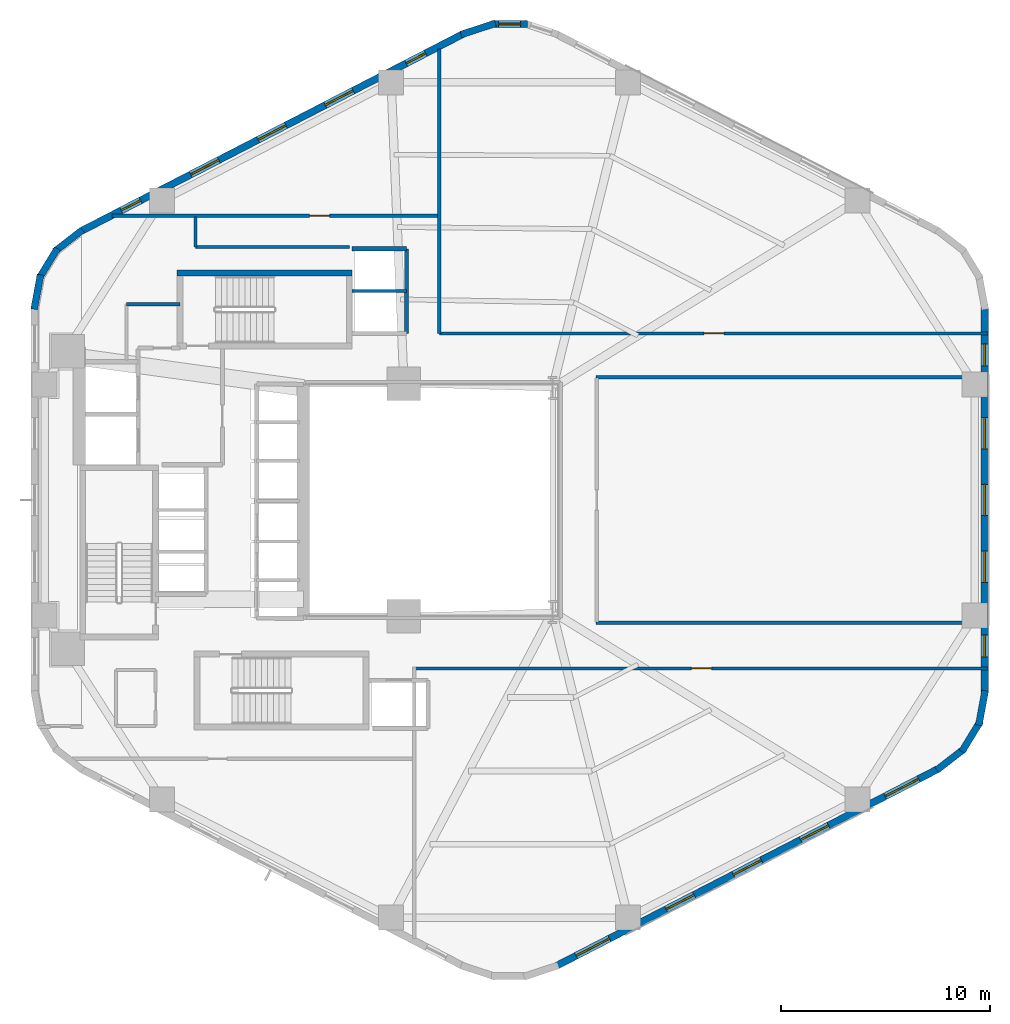
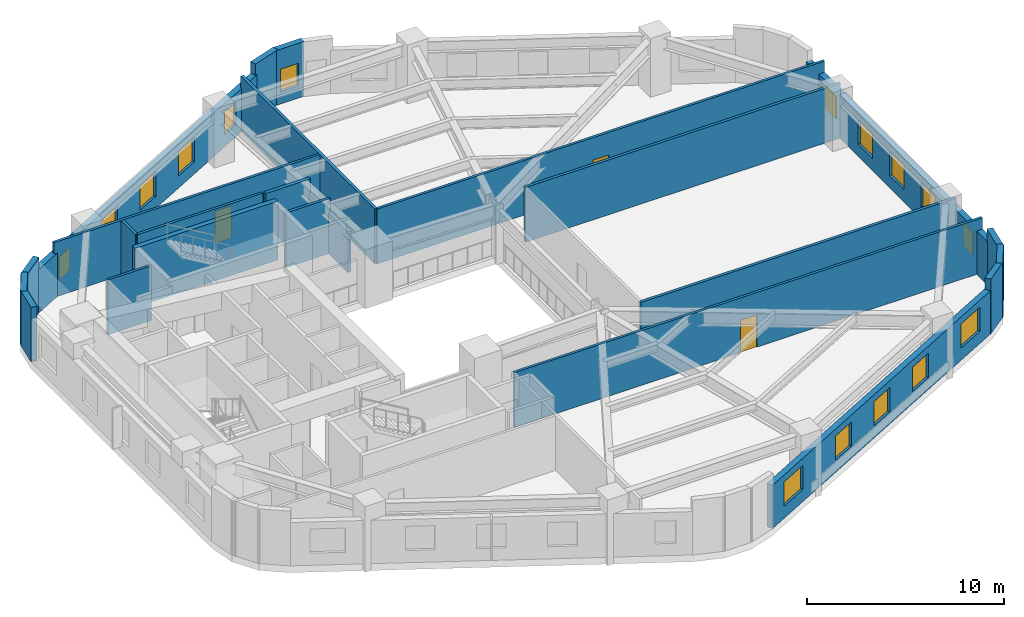
# One storey, part 4 of 7: 24 walls, 16 windows, 3 doors, 19 openings.
"""IFC4 building model written with IfcOpenShell, lengths in metres."""

from ifc_helpers import new_model, si_unit, direction, frame, frame_2d, origin, place, context, subcontext, project, spatial, rectangle, extrude, material, layer, layer_set, type_object, element, fill, save


model = new_model("IFC4")

# Units and contexts
model_context = context("Model", 3, precision=1e-05, world=origin(), true_north=direction((0.0, 1.0)))
body_context = subcontext(model_context, "Body", "Model", "MODEL_VIEW")
ifc_project = project(units=[si_unit("LENGTHUNIT", "METRE"), si_unit("AREAUNIT", "SQUARE_METRE"), si_unit("VOLUMEUNIT", "CUBIC_METRE"), si_unit("PLANEANGLEUNIT", "RADIAN"), si_unit("MASSUNIT", "GRAM", prefix="KILO"), si_unit("THERMODYNAMICTEMPERATUREUNIT", "KELVIN"), si_unit("POWERUNIT", "WATT")], contexts=[model_context])

# Site, building, storey
site_placement = place(None, origin())
site = spatial("IfcSite", under=ifc_project, at=site_placement, CompositionType="ELEMENT")
building_placement = place(site_placement, origin())
building = spatial("IfcBuilding", under=site, at=building_placement, Name="Skarre Station Tower", CompositionType="ELEMENT")
storey_placement = place(building_placement, frame((0.0, 0.0, 27.0)))
storey = spatial("IfcBuildingStorey", under=building, at=storey_placement, Name="L06", CompositionType="ELEMENT", Elevation=27.0)

# Wall
ifc_material_1 = material(Name="Acoustic Steel-Stud Gypsum Partition", Category="steel")
ifc_layer_1 = layer(ifc_material_1, 0.14990234375, Name="Acoustic Steel-Stud Gypsum Partition")
ifc_layer_set_1 = layer_set([ifc_layer_1], Name="Acoustic Steel-Stud Gypsum Partition")
wall_type_1 = type_object("IfcWallType", Name="Fire-Rated Corridor Acoustic Partition 150", PredefinedType="PARTITIONING", material=ifc_layer_set_1)
wall_1_placement = place(storey_placement, frame((21.659912109375, 33.35009765625, 0.0), z_axis=(0.0, 0.0, 1.0), x_axis=(-1.0, 0.0, 0.0)))
element("IfcWall", 1, at=wall_1_placement, inside=storey, type_object=wall_type_1, Name="L06 Interior Partition WL-PT-L06-CNW-N1", PredefinedType="PARTITIONING", context=body_context, shape_type="SweptSolid", body=[
    extrude(rectangle(XDim=2.559814453125, YDim=0.14990234375, at=frame_2d((1.27978515625, 0.0))), origin(), (0.0, 0.0, 1.0), 3.389892578125),
])

# Wall, opening, door
wall_2_placement = place(storey_placement, frame((34.0, 37.580078125, 0.0), z_axis=(0.0, 0.0, 1.0), x_axis=(-1.0, 0.0, 0.0)))
wall_2 = element("IfcWall", 2, at=wall_2_placement, inside=storey, type_object=wall_type_1, Name="L06 Interior Partition WL-PT-L06-NWW1-CW", PredefinedType="PARTITIONING", context=body_context, shape_type="SweptSolid", body=[
    extrude(rectangle(XDim=15.60009765625, YDim=0.14990234375, at=frame_2d((7.800048828125, 0.0))), origin(), (0.0, 0.0, 1.0), 3.389892578125),
])
opening_1_placement = place(wall_2_placement, frame((5.195068359375, 0.0, 0.0)))
opening_1 = element("IfcOpeningElement", 3, at=opening_1_placement, cuts=wall_2, Name="Opening DR-FD60", PredefinedType="OPENING", context=body_context, shape_type="SweptSolid", body=[
    extrude(rectangle(XDim=0.9599609375, YDim=2.0, at=frame_2d((0.47998046875, 1.0))), frame((0.0, 0.0849609375, 0.0), z_axis=(0.0, -1.0, 0.0), x_axis=(1.0, 0.0, 0.0)), (0.0, 0.0, 1.0), 0.169921875),
])
ifc_material_2 = material(Name="Nordic White-Oak Veneer Solid-Core Fire Leaf", Category="wood")
door_type = type_object("IfcDoorType", Name="Corridor Suite Entry Fire Door FD60 960x2150", OperationType="SINGLE_SWING_LEFT", PredefinedType="DOOR", material=ifc_material_2)
door_1_placement = place(opening_1_placement, origin())
door_1 = element("IfcDoor", 4, at=door_1_placement, inside=storey, type_object=door_type, Name="L06 NWW1 Entry Door", OperationType="SINGLE_SWING_LEFT", OverallHeight=2.0, OverallWidth=0.9599609375, PredefinedType="DOOR", context=body_context, shape_type="SweptSolid", body=[
    extrude(rectangle(XDim=0.9599609375, YDim=2.0, at=frame_2d((0.47998046875, 1.0))), frame((0.0, 0.02490234375, 0.0), z_axis=(0.0, -1.0, 0.0), x_axis=(1.0, 0.0, 0.0)), (0.0, 0.0, 1.0), 0.050048828125),
])
fill(opening_1, door_1)

wall_3_placement = place(storey_placement, frame((60.2529296875, 31.9599609375, 0.0), z_axis=(0.0, 0.0, 1.0), x_axis=(-1.0, 0.0, 0.0)))
wall_3 = element("IfcWall", 5, at=wall_3_placement, inside=storey, type_object=wall_type_1, Name="L06 Interior Partition WL-PT-L06-NW1-CW", PredefinedType="PARTITIONING", context=body_context, shape_type="SweptSolid", body=[
    extrude(rectangle(XDim=26.212890625, YDim=0.14990234375, at=frame_2d((13.1064453125, 0.0))), origin(), (0.0, 0.0, 1.0), 3.389892578125),
])
opening_2_placement = place(wall_3_placement, frame((12.612060546875, 0.0, 0.0)))
opening_2 = element("IfcOpeningElement", 6, at=opening_2_placement, cuts=wall_3, Name="Opening DR-FD60", PredefinedType="OPENING", context=body_context, shape_type="SweptSolid", body=[
    extrude(rectangle(XDim=0.9599609375, YDim=2.0, at=frame_2d((0.47998046875, 1.0))), frame((0.0, 0.0849609375, 0.0), z_axis=(0.0, -1.0, 0.0), x_axis=(1.0, 0.0, 0.0)), (0.0, 0.0, 1.0), 0.169921875),
])
door_2_placement = place(opening_2_placement, origin())
door_2 = element("IfcDoor", 7, at=door_2_placement, inside=storey, type_object=door_type, Name="L06 NW1 Entry Door", OperationType="SINGLE_SWING_LEFT", OverallHeight=2.0, OverallWidth=0.9599609375, PredefinedType="DOOR", context=body_context, shape_type="SweptSolid", body=[
    extrude(rectangle(XDim=0.9599609375, YDim=2.0, at=frame_2d((0.47998046875, 1.0))), frame((0.0, 0.02490234375, 0.0), z_axis=(0.0, -1.0, 0.0), x_axis=(1.0, 0.0, 0.0)), (0.0, 0.0, 1.0), 0.050048828125),
])
fill(opening_2, door_2)

wall_4_placement = place(storey_placement, frame((32.85009765625, 15.9599609375, 0.0), z_axis=(0.0, 0.0, 1.0), x_axis=(1.0, 0.0, 0.0)))
wall_4 = element("IfcWall", 8, at=wall_4_placement, inside=storey, type_object=wall_type_1, Name="L06 Interior Partition WL-PT-L06-SW1-CW", PredefinedType="PARTITIONING", context=body_context, shape_type="SweptSolid", body=[
    extrude(rectangle(XDim=27.40283203125, YDim=0.14990234375, at=frame_2d((13.701416015625, 0.0))), origin(), (0.0, 0.0, 1.0), 3.389892578125),
])
opening_3_placement = place(wall_4_placement, frame((13.235107421875, 0.0, 0.0)))
opening_3 = element("IfcOpeningElement", 9, at=opening_3_placement, cuts=wall_4, Name="Opening DR-FD60", PredefinedType="OPENING", context=body_context, shape_type="SweptSolid", body=[
    extrude(rectangle(XDim=0.9599609375, YDim=2.0, at=frame_2d((0.47998046875, 1.0))), frame((0.0, 0.0849609375, 0.0), z_axis=(0.0, -1.0, 0.0), x_axis=(1.0, 0.0, 0.0)), (0.0, 0.0, 1.0), 0.169921875),
])
door_3_placement = place(opening_3_placement, origin())
door_3 = element("IfcDoor", 10, at=door_3_placement, inside=storey, type_object=door_type, Name="L06 SW1 Entry Door", OperationType="SINGLE_SWING_LEFT", OverallHeight=2.0, OverallWidth=0.9599609375, PredefinedType="DOOR", context=body_context, shape_type="SweptSolid", body=[
    extrude(rectangle(XDim=0.9599609375, YDim=2.0, at=frame_2d((0.47998046875, 1.0))), frame((0.0, 0.02490234375, 0.0), z_axis=(0.0, -1.0, 0.0), x_axis=(1.0, 0.0, 0.0)), (0.0, 0.0, 1.0), 0.050048828125),
])
fill(opening_3, door_3)

# Walls
wall_5_placement = place(storey_placement, frame((29.7529296875, 36.080078125, 0.0), z_axis=(0.0, 0.0, 1.0), x_axis=(-1.0, 0.0, 0.0)))
element("IfcWall", 11, at=wall_5_placement, inside=storey, type_object=wall_type_1, Name="L06 Interior Partition WL-PT-L06-CSEAL-1", PredefinedType="PARTITIONING", context=body_context, shape_type="SweptSolid", body=[
    extrude(rectangle(XDim=7.35302734375, YDim=0.14990234375, at=frame_2d((3.676513671875, 0.0))), origin(), (0.0, 0.0, 1.0), 3.389892578125),
])
wall_6_placement = place(storey_placement, frame((22.39990234375, 36.080078125, 0.0), z_axis=(0.0, 0.0, 1.0), x_axis=(0.0, 1.0, 0.0)))
element("IfcWall", 12, at=wall_6_placement, inside=storey, type_object=wall_type_1, Name="L06 Interior Partition WL-PT-L06-CSEAL-2", PredefinedType="PARTITIONING", context=body_context, shape_type="SweptSolid", body=[
    extrude(rectangle(XDim=1.429931640625, YDim=0.14990234375, at=frame_2d((0.71484375, 0.0))), origin(), (0.0, 0.0, 1.0), 3.389892578125),
])

# Wall, openings, windows
ifc_material_3 = material(Name="Precast concrete C45/55", Category="concrete")
ifc_layer_2 = layer(ifc_material_3, 0.340087890625, Name="Precast concrete C45/55")
ifc_layer_set_2 = layer_set([ifc_layer_2], Name="Precast concrete C45/55")
wall_type_2 = type_object("IfcWallType", Name="Nordic Honed Precast Facet Wall 340", PredefinedType="STANDARD", material=ifc_layer_set_2)
wall_7_placement = place(storey_placement, frame((16.924072265625, 36.841064453125, 0.0), z_axis=(0.0, 0.0, 1.0), x_axis=(0.888634413993, 0.458616264721, 0.0)))
wall_7 = element("IfcWall", 13, at=wall_7_placement, inside=storey, type_object=wall_type_2, Name="L06 Facet 1 Nordic Precast Masonry Wall", PredefinedType="STANDARD", context=body_context, shape_type="SweptSolid", body=[
    extrude(rectangle(XDim=20.53125, YDim=0.340087890625, at=frame_2d((10.265625, 0.0))), origin(), (0.0, 0.0, 1.0), 2.68408203125),
])
opening_4_placement = place(wall_7_placement, frame((2.160888671875, 0.0, 0.75)))
opening_4 = element("IfcOpeningElement", 14, at=opening_4_placement, cuts=wall_7, Name="Opening WN-SLT", PredefinedType="OPENING", context=body_context, shape_type="SweptSolid", body=[
    extrude(rectangle(XDim=1.050048828125, YDim=1.39990234375, at=frame_2d((0.52490234375, 0.699951171875))), frame((0.0, 0.179931640625, 0.0), z_axis=(0.0, -1.0, 0.0), x_axis=(1.0, 0.0, 0.0)), (0.0, 0.0, 1.0), 0.360107421875),
])
opening_5_placement = place(wall_7_placement, frame((5.903076171875, 0.0, 0.75)))
opening_5 = element("IfcOpeningElement", 15, at=opening_5_placement, cuts=wall_7, Name="Opening WN-Z1B", PredefinedType="OPENING", context=body_context, shape_type="SweptSolid", body=[
    extrude(rectangle(XDim=1.5, YDim=1.5, at=frame_2d((0.75, 0.75))), frame((0.0, 0.179931640625, 0.0), z_axis=(0.0, -1.0, 0.0), x_axis=(1.0, 0.0, 0.0)), (0.0, 0.0, 1.0), 0.360107421875),
])
opening_6_placement = place(wall_7_placement, frame((9.51611328125, 0.0, 0.75)))
opening_6 = element("IfcOpeningElement", 16, at=opening_6_placement, cuts=wall_7, Name="Opening WN-Z1B", PredefinedType="OPENING", context=body_context, shape_type="SweptSolid", body=[
    extrude(rectangle(XDim=1.5, YDim=1.5, at=frame_2d((0.75, 0.75))), frame((0.0, 0.179931640625, 0.0), z_axis=(0.0, -1.0, 0.0), x_axis=(1.0, 0.0, 0.0)), (0.0, 0.0, 1.0), 0.360107421875),
])
opening_7_placement = place(wall_7_placement, frame((13.12890625, 0.0, 0.75)))
opening_7 = element("IfcOpeningElement", 17, at=opening_7_placement, cuts=wall_7, Name="Opening WN-Z1B", PredefinedType="OPENING", context=body_context, shape_type="SweptSolid", body=[
    extrude(rectangle(XDim=1.5, YDim=1.5, at=frame_2d((0.75, 0.75))), frame((0.0, 0.179931640625, 0.0), z_axis=(0.0, -1.0, 0.0), x_axis=(1.0, 0.0, 0.0)), (0.0, 0.0, 1.0), 0.360107421875),
])
opening_8_placement = place(wall_7_placement, frame((17.47607421875, 0.0, 0.75)))
opening_8 = element("IfcOpeningElement", 18, at=opening_8_placement, cuts=wall_7, Name="Opening WN-SLT", PredefinedType="OPENING", context=body_context, shape_type="SweptSolid", body=[
    extrude(rectangle(XDim=1.050048828125, YDim=1.39990234375, at=frame_2d((0.52490234375, 0.699951171875))), frame((0.0, 0.179931640625, 0.0), z_axis=(0.0, -1.0, 0.0), x_axis=(1.0, 0.0, 0.0)), (0.0, 0.0, 1.0), 0.360107421875),
])
ifc_material_4 = material(Name="Low-Iron Triple Glazing with Bronze Anodized Frame", Category="glass")
window_type_1 = type_object("IfcWindowType", Name="Nordic Corner Slot Window 1050x1400", PartitioningType="SINGLE_PANEL", PredefinedType="WINDOW", material=ifc_material_4)
window_1_placement = place(opening_4_placement, origin())
window_1 = element("IfcWindow", 19, at=window_1_placement, inside=storey, type_object=window_type_1, Name="L06 Facade Window WL-FAC-L06-F1-1", OverallHeight=1.39990234375, OverallWidth=1.050048828125, PartitioningType="SINGLE_PANEL", PredefinedType="WINDOW", context=body_context, shape_type="SweptSolid", body=[
    extrude(rectangle(XDim=1.050048828125, YDim=1.39990234375, at=frame_2d((0.52490234375, 0.699951171875))), frame((0.0, 0.030029296875, 0.0), z_axis=(0.0, -1.0, 0.0), x_axis=(1.0, 0.0, 0.0)), (0.0, 0.0, 1.0), 0.06005859375),
])
fill(opening_4, window_1)
window_2_placement = place(opening_8_placement, origin())
window_2 = element("IfcWindow", 20, at=window_2_placement, inside=storey, type_object=window_type_1, Name="L06 Facade Window WL-FAC-L06-F1-5", OverallHeight=1.39990234375, OverallWidth=1.050048828125, PartitioningType="SINGLE_PANEL", PredefinedType="WINDOW", context=body_context, shape_type="SweptSolid", body=[
    extrude(rectangle(XDim=1.050048828125, YDim=1.39990234375, at=frame_2d((0.52490234375, 0.699951171875))), frame((0.0, 0.030029296875, 0.0), z_axis=(0.0, -1.0, 0.0), x_axis=(1.0, 0.0, 0.0)), (0.0, 0.0, 1.0), 0.06005859375),
])
fill(opening_8, window_2)
window_type_2 = type_object("IfcWindowType", Name="Nordic Punched Triple-Glazed Window 1500x1500", PartitioningType="SINGLE_PANEL", PredefinedType="WINDOW", material=ifc_material_4)
window_3_placement = place(opening_5_placement, origin())
window_3 = element("IfcWindow", 21, at=window_3_placement, inside=storey, type_object=window_type_2, Name="L06 Facade Window WL-FAC-L06-F1-2", OverallHeight=1.5, OverallWidth=1.5, PartitioningType="SINGLE_PANEL", PredefinedType="WINDOW", context=body_context, shape_type="SweptSolid", body=[
    extrude(rectangle(XDim=1.5, YDim=1.5, at=frame_2d((0.75, 0.75))), frame((0.0, 0.030029296875, 0.0), z_axis=(0.0, -1.0, 0.0), x_axis=(1.0, 0.0, 0.0)), (0.0, 0.0, 1.0), 0.06005859375),
])
fill(opening_5, window_3)
window_4_placement = place(opening_6_placement, origin())
window_4 = element("IfcWindow", 22, at=window_4_placement, inside=storey, type_object=window_type_2, Name="L06 Facade Window WL-FAC-L06-F1-3", OverallHeight=1.5, OverallWidth=1.5, PartitioningType="SINGLE_PANEL", PredefinedType="WINDOW", context=body_context, shape_type="SweptSolid", body=[
    extrude(rectangle(XDim=1.5, YDim=1.5, at=frame_2d((0.75, 0.75))), frame((0.0, 0.030029296875, 0.0), z_axis=(0.0, -1.0, 0.0), x_axis=(1.0, 0.0, 0.0)), (0.0, 0.0, 1.0), 0.06005859375),
])
fill(opening_6, window_4)
window_5_placement = place(opening_7_placement, origin())
window_5 = element("IfcWindow", 23, at=window_5_placement, inside=storey, type_object=window_type_2, Name="L06 Facade Window WL-FAC-L06-F1-4", OverallHeight=1.5, OverallWidth=1.5, PartitioningType="SINGLE_PANEL", PredefinedType="WINDOW", context=body_context, shape_type="SweptSolid", body=[
    extrude(rectangle(XDim=1.5, YDim=1.5, at=frame_2d((0.75, 0.75))), frame((0.0, 0.030029296875, 0.0), z_axis=(0.0, -1.0, 0.0), x_axis=(1.0, 0.0, 0.0)), (0.0, 0.0, 1.0), 0.06005859375),
])
fill(opening_7, window_5)

wall_8_placement = place(storey_placement, frame((57.8759765625, 11.158935546875, 0.0), z_axis=(0.0, 0.0, 1.0), x_axis=(-0.888634413993, -0.458616264721, 0.0)))
wall_8 = element("IfcWall", 24, at=wall_8_placement, inside=storey, type_object=wall_type_2, Name="L06 Facet 4 Nordic Precast Masonry Wall", PredefinedType="STANDARD", context=body_context, shape_type="SweptSolid", body=[
    extrude(rectangle(XDim=20.53125, YDim=0.340087890625, at=frame_2d((10.265625, 0.0))), origin(), (0.0, 0.0, 1.0), 2.68408203125),
])
opening_9_placement = place(wall_8_placement, frame((1.05810546875, 0.0, 0.75)))
opening_9 = element("IfcOpeningElement", 25, at=opening_9_placement, cuts=wall_8, Name="Opening WN-Z1A", PredefinedType="OPENING", context=body_context, shape_type="SweptSolid", body=[
    extrude(rectangle(XDim=1.800048828125, YDim=1.5, at=frame_2d((0.89990234375, 0.75))), frame((0.0, 0.179931640625, 0.0), z_axis=(0.0, -1.0, 0.0), x_axis=(1.0, 0.0, 0.0)), (0.0, 0.0, 1.0), 0.360107421875),
])
opening_10_placement = place(wall_8_placement, frame((5.903076171875, 0.0, 0.75)))
opening_10 = element("IfcOpeningElement", 26, at=opening_10_placement, cuts=wall_8, Name="Opening WN-Z1B", PredefinedType="OPENING", context=body_context, shape_type="SweptSolid", body=[
    extrude(rectangle(XDim=1.5, YDim=1.5, at=frame_2d((0.75, 0.75))), frame((0.0, 0.179931640625, 0.0), z_axis=(0.0, -1.0, 0.0), x_axis=(1.0, 0.0, 0.0)), (0.0, 0.0, 1.0), 0.360107421875),
])
opening_11_placement = place(wall_8_placement, frame((9.51611328125, 0.0, 0.75)))
opening_11 = element("IfcOpeningElement", 27, at=opening_11_placement, cuts=wall_8, Name="Opening WN-Z1B", PredefinedType="OPENING", context=body_context, shape_type="SweptSolid", body=[
    extrude(rectangle(XDim=1.5, YDim=1.5, at=frame_2d((0.75, 0.75))), frame((0.0, 0.179931640625, 0.0), z_axis=(0.0, -1.0, 0.0), x_axis=(1.0, 0.0, 0.0)), (0.0, 0.0, 1.0), 0.360107421875),
])
opening_12_placement = place(wall_8_placement, frame((13.12890625, 0.0, 0.75)))
opening_12 = element("IfcOpeningElement", 28, at=opening_12_placement, cuts=wall_8, Name="Opening WN-Z1B", PredefinedType="OPENING", context=body_context, shape_type="SweptSolid", body=[
    extrude(rectangle(XDim=1.5, YDim=1.5, at=frame_2d((0.75, 0.75))), frame((0.0, 0.179931640625, 0.0), z_axis=(0.0, -1.0, 0.0), x_axis=(1.0, 0.0, 0.0)), (0.0, 0.0, 1.0), 0.360107421875),
])
opening_13_placement = place(wall_8_placement, frame((17.673095703125, 0.0, 0.75)))
opening_13 = element("IfcOpeningElement", 29, at=opening_13_placement, cuts=wall_8, Name="Opening WN-Z1A", PredefinedType="OPENING", context=body_context, shape_type="SweptSolid", body=[
    extrude(rectangle(XDim=1.800048828125, YDim=1.5, at=frame_2d((0.89990234375, 0.75))), frame((0.0, 0.179931640625, 0.0), z_axis=(0.0, -1.0, 0.0), x_axis=(1.0, 0.0, 0.0)), (0.0, 0.0, 1.0), 0.360107421875),
])
window_6_placement = place(opening_10_placement, origin())
window_6 = element("IfcWindow", 30, at=window_6_placement, inside=storey, type_object=window_type_2, Name="L06 Facade Window WL-FAC-L06-F4-2", OverallHeight=1.5, OverallWidth=1.5, PartitioningType="SINGLE_PANEL", PredefinedType="WINDOW", context=body_context, shape_type="SweptSolid", body=[
    extrude(rectangle(XDim=1.5, YDim=1.5, at=frame_2d((0.75, 0.75))), frame((0.0, 0.030029296875, 0.0), z_axis=(0.0, -1.0, 0.0), x_axis=(1.0, 0.0, 0.0)), (0.0, 0.0, 1.0), 0.06005859375),
])
fill(opening_10, window_6)
window_7_placement = place(opening_11_placement, origin())
window_7 = element("IfcWindow", 31, at=window_7_placement, inside=storey, type_object=window_type_2, Name="L06 Facade Window WL-FAC-L06-F4-3", OverallHeight=1.5, OverallWidth=1.5, PartitioningType="SINGLE_PANEL", PredefinedType="WINDOW", context=body_context, shape_type="SweptSolid", body=[
    extrude(rectangle(XDim=1.5, YDim=1.5, at=frame_2d((0.75, 0.75))), frame((0.0, 0.030029296875, 0.0), z_axis=(0.0, -1.0, 0.0), x_axis=(1.0, 0.0, 0.0)), (0.0, 0.0, 1.0), 0.06005859375),
])
fill(opening_11, window_7)
window_8_placement = place(opening_12_placement, origin())
window_8 = element("IfcWindow", 32, at=window_8_placement, inside=storey, type_object=window_type_2, Name="L06 Facade Window WL-FAC-L06-F4-4", OverallHeight=1.5, OverallWidth=1.5, PartitioningType="SINGLE_PANEL", PredefinedType="WINDOW", context=body_context, shape_type="SweptSolid", body=[
    extrude(rectangle(XDim=1.5, YDim=1.5, at=frame_2d((0.75, 0.75))), frame((0.0, 0.030029296875, 0.0), z_axis=(0.0, -1.0, 0.0), x_axis=(1.0, 0.0, 0.0)), (0.0, 0.0, 1.0), 0.06005859375),
])
fill(opening_12, window_8)
window_type_3 = type_object("IfcWindowType", Name="Nordic Punched Triple-Glazed Window 1800x1500", PartitioningType="SINGLE_PANEL", PredefinedType="WINDOW", material=ifc_material_4)
window_9_placement = place(opening_9_placement, origin())
window_9 = element("IfcWindow", 33, at=window_9_placement, inside=storey, type_object=window_type_3, Name="L06 Facade Window WL-FAC-L06-F4-1", OverallHeight=1.5, OverallWidth=1.800048828125, PartitioningType="SINGLE_PANEL", PredefinedType="WINDOW", context=body_context, shape_type="SweptSolid", body=[
    extrude(rectangle(XDim=1.800048828125, YDim=1.5, at=frame_2d((0.89990234375, 0.75))), frame((0.0, 0.030029296875, 0.0), z_axis=(0.0, -1.0, 0.0), x_axis=(1.0, 0.0, 0.0)), (0.0, 0.0, 1.0), 0.06005859375),
])
fill(opening_9, window_9)
window_10_placement = place(opening_13_placement, origin())
window_10 = element("IfcWindow", 34, at=window_10_placement, inside=storey, type_object=window_type_3, Name="L06 Facade Window WL-FAC-L06-F4-5", OverallHeight=1.5, OverallWidth=1.800048828125, PartitioningType="SINGLE_PANEL", PredefinedType="WINDOW", context=body_context, shape_type="SweptSolid", body=[
    extrude(rectangle(XDim=1.800048828125, YDim=1.5, at=frame_2d((0.89990234375, 0.75))), frame((0.0, 0.030029296875, 0.0), z_axis=(0.0, -1.0, 0.0), x_axis=(1.0, 0.0, 0.0)), (0.0, 0.0, 1.0), 0.06005859375),
])
fill(opening_13, window_10)

wall_9_placement = place(storey_placement, frame((60.093017578125, 33.201904296875, 0.0), z_axis=(0.0, 0.0, 1.0), x_axis=(0.0, -1.0, 0.0)))
wall_9 = element("IfcWall", 35, at=wall_9_placement, inside=storey, type_object=wall_type_2, Name="L06 Facet 5 Nordic Precast Masonry Wall", PredefinedType="STANDARD", context=body_context, shape_type="SweptSolid", body=[
    extrude(rectangle(XDim=18.40380859375, YDim=0.340087890625, at=frame_2d((9.201904296875, 0.0))), origin(), (0.0, 0.0, 1.0), 2.68408203125),
])
opening_14_placement = place(wall_9_placement, frame((1.743896484375, 0.0, 0.75)))
opening_14 = element("IfcOpeningElement", 36, at=opening_14_placement, cuts=wall_9, Name="Opening WN-SLT", PredefinedType="OPENING", context=body_context, shape_type="SweptSolid", body=[
    extrude(rectangle(XDim=1.050048828125, YDim=1.39990234375, at=frame_2d((0.52490234375, 0.699951171875))), frame((0.0, 0.179931640625, 0.0), z_axis=(0.0, -1.0, 0.0), x_axis=(1.0, 0.0, 0.0)), (0.0, 0.0, 1.0), 0.360107421875),
])
opening_15_placement = place(wall_9_placement, frame((5.264892578125, 0.0, 0.75)))
opening_15 = element("IfcOpeningElement", 37, at=opening_15_placement, cuts=wall_9, Name="Opening WN-Z1B", PredefinedType="OPENING", context=body_context, shape_type="SweptSolid", body=[
    extrude(rectangle(XDim=1.5, YDim=1.5, at=frame_2d((0.75, 0.75))), frame((0.0, 0.179931640625, 0.0), z_axis=(0.0, -1.0, 0.0), x_axis=(1.0, 0.0, 0.0)), (0.0, 0.0, 1.0), 0.360107421875),
])
opening_16_placement = place(wall_9_placement, frame((8.451904296875, 0.0, 0.75)))
opening_16 = element("IfcOpeningElement", 38, at=opening_16_placement, cuts=wall_9, Name="Opening WN-Z1B", PredefinedType="OPENING", context=body_context, shape_type="SweptSolid", body=[
    extrude(rectangle(XDim=1.5, YDim=1.5, at=frame_2d((0.75, 0.75))), frame((0.0, 0.179931640625, 0.0), z_axis=(0.0, -1.0, 0.0), x_axis=(1.0, 0.0, 0.0)), (0.0, 0.0, 1.0), 0.360107421875),
])
opening_17_placement = place(wall_9_placement, frame((11.638916015625, 0.0, 0.75)))
opening_17 = element("IfcOpeningElement", 39, at=opening_17_placement, cuts=wall_9, Name="Opening WN-Z1B", PredefinedType="OPENING", context=body_context, shape_type="SweptSolid", body=[
    extrude(rectangle(XDim=1.5, YDim=1.5, at=frame_2d((0.75, 0.75))), frame((0.0, 0.179931640625, 0.0), z_axis=(0.0, -1.0, 0.0), x_axis=(1.0, 0.0, 0.0)), (0.0, 0.0, 1.0), 0.360107421875),
])
opening_18_placement = place(wall_9_placement, frame((15.64990234375, 0.0, 0.75)))
opening_18 = element("IfcOpeningElement", 40, at=opening_18_placement, cuts=wall_9, Name="Opening WN-SLT", PredefinedType="OPENING", context=body_context, shape_type="SweptSolid", body=[
    extrude(rectangle(XDim=1.050048828125, YDim=1.39990234375, at=frame_2d((0.52490234375, 0.699951171875))), frame((0.0, 0.179931640625, 0.0), z_axis=(0.0, -1.0, 0.0), x_axis=(1.0, 0.0, 0.0)), (0.0, 0.0, 1.0), 0.360107421875),
])
window_11_placement = place(opening_14_placement, origin())
window_11 = element("IfcWindow", 41, at=window_11_placement, inside=storey, type_object=window_type_1, Name="L06 Facade Window WL-FAC-L06-F5-1", OverallHeight=1.39990234375, OverallWidth=1.050048828125, PartitioningType="SINGLE_PANEL", PredefinedType="WINDOW", context=body_context, shape_type="SweptSolid", body=[
    extrude(rectangle(XDim=1.050048828125, YDim=1.39990234375, at=frame_2d((0.52490234375, 0.699951171875))), frame((0.0, 0.030029296875, 0.0), z_axis=(0.0, -1.0, 0.0), x_axis=(1.0, 0.0, 0.0)), (0.0, 0.0, 1.0), 0.06005859375),
])
fill(opening_14, window_11)
window_12_placement = place(opening_18_placement, origin())
window_12 = element("IfcWindow", 42, at=window_12_placement, inside=storey, type_object=window_type_1, Name="L06 Facade Window WL-FAC-L06-F5-5", OverallHeight=1.39990234375, OverallWidth=1.050048828125, PartitioningType="SINGLE_PANEL", PredefinedType="WINDOW", context=body_context, shape_type="SweptSolid", body=[
    extrude(rectangle(XDim=1.050048828125, YDim=1.39990234375, at=frame_2d((0.52490234375, 0.699951171875))), frame((0.0, 0.030029296875, 0.0), z_axis=(0.0, -1.0, 0.0), x_axis=(1.0, 0.0, 0.0)), (0.0, 0.0, 1.0), 0.06005859375),
])
fill(opening_18, window_12)
window_13_placement = place(opening_15_placement, origin())
window_13 = element("IfcWindow", 43, at=window_13_placement, inside=storey, type_object=window_type_2, Name="L06 Facade Window WL-FAC-L06-F5-2", OverallHeight=1.5, OverallWidth=1.5, PartitioningType="SINGLE_PANEL", PredefinedType="WINDOW", context=body_context, shape_type="SweptSolid", body=[
    extrude(rectangle(XDim=1.5, YDim=1.5, at=frame_2d((0.75, 0.75))), frame((0.0, 0.030029296875, 0.0), z_axis=(0.0, -1.0, 0.0), x_axis=(1.0, 0.0, 0.0)), (0.0, 0.0, 1.0), 0.06005859375),
])
fill(opening_15, window_13)
window_14_placement = place(opening_16_placement, origin())
window_14 = element("IfcWindow", 44, at=window_14_placement, inside=storey, type_object=window_type_2, Name="L06 Facade Window WL-FAC-L06-F5-3", OverallHeight=1.5, OverallWidth=1.5, PartitioningType="SINGLE_PANEL", PredefinedType="WINDOW", context=body_context, shape_type="SweptSolid", body=[
    extrude(rectangle(XDim=1.5, YDim=1.5, at=frame_2d((0.75, 0.75))), frame((0.0, 0.030029296875, 0.0), z_axis=(0.0, -1.0, 0.0), x_axis=(1.0, 0.0, 0.0)), (0.0, 0.0, 1.0), 0.06005859375),
])
fill(opening_16, window_14)
window_15_placement = place(opening_17_placement, origin())
window_15 = element("IfcWindow", 45, at=window_15_placement, inside=storey, type_object=window_type_2, Name="L06 Facade Window WL-FAC-L06-F5-4", OverallHeight=1.5, OverallWidth=1.5, PartitioningType="SINGLE_PANEL", PredefinedType="WINDOW", context=body_context, shape_type="SweptSolid", body=[
    extrude(rectangle(XDim=1.5, YDim=1.5, at=frame_2d((0.75, 0.75))), frame((0.0, 0.030029296875, 0.0), z_axis=(0.0, -1.0, 0.0), x_axis=(1.0, 0.0, 0.0)), (0.0, 0.0, 1.0), 0.06005859375),
])
fill(opening_17, window_15)

# Wall
ifc_layer_3 = layer(ifc_material_3, 0.330078125, Name="Precast concrete C45/55")
ifc_layer_set_3 = layer_set([ifc_layer_3], Name="Precast concrete C45/55")
wall_type_3 = type_object("IfcWallType", Name="Nordic Rounded Corner Precast Wall 330", PredefinedType="STANDARD", material=ifc_layer_set_3)
wall_10_placement = place(storey_placement, frame((35.0810546875, 46.23095703125, 0.0), z_axis=(0.0, 0.0, 1.0), x_axis=(0.94976901097, 0.312951794691, 0.0)))
element("IfcWall", 46, at=wall_10_placement, inside=storey, type_object=wall_type_3, Name="L06 Rounded Corner Precast Wall F1-1", PredefinedType="STANDARD", context=body_context, shape_type="SweptSolid", body=[
    extrude(rectangle(XDim=1.722412109375, YDim=0.330078125, at=frame_2d((0.861328125, 0.0))), origin(), (0.0, 0.0, 1.0), 3.389892578125),
])

# Wall, opening, window
wall_11_placement = place(storey_placement, frame((36.5390625, 46.740966796875, 0.0), z_axis=(0.0, 0.0, 1.0), x_axis=(1.0, 0.0, 0.0)))
wall_11 = element("IfcWall", 47, at=wall_11_placement, inside=storey, type_object=wall_type_3, Name="L06 Rounded Corner Precast Wall F1-2", PredefinedType="STANDARD", context=body_context, shape_type="SweptSolid", body=[
    extrude(rectangle(XDim=1.721923828125, YDim=0.330078125, at=frame_2d((0.86083984375, 0.0))), origin(), (0.0, 0.0, 1.0), 3.389892578125),
])
opening_19_placement = place(wall_11_placement, frame((0.3359375, 0.0, 0.75)))
opening_19 = element("IfcOpeningElement", 48, at=opening_19_placement, cuts=wall_11, Name="Opening WN-SLT", PredefinedType="OPENING", context=body_context, shape_type="SweptSolid", body=[
    extrude(rectangle(XDim=1.050048828125, YDim=1.39990234375, at=frame_2d((0.52490234375, 0.699951171875))), frame((0.0, 0.175048828125, 0.0), z_axis=(0.0, -1.0, 0.0), x_axis=(1.0, 0.0, 0.0)), (0.0, 0.0, 1.0), 0.35009765625),
])
window_16_placement = place(opening_19_placement, origin())
window_16 = element("IfcWindow", 49, at=window_16_placement, inside=storey, type_object=window_type_1, Name="L06 Apex Corner Slot Window F1-2", OverallHeight=1.39990234375, OverallWidth=1.050048828125, PartitioningType="SINGLE_PANEL", PredefinedType="WINDOW", context=body_context, shape_type="SweptSolid", body=[
    extrude(rectangle(XDim=1.050048828125, YDim=1.39990234375, at=frame_2d((0.52490234375, 0.699951171875))), frame((0.0, 0.030029296875, 0.0), z_axis=(0.0, -1.0, 0.0), x_axis=(1.0, 0.0, 0.0)), (0.0, 0.0, 1.0), 0.06005859375),
])
fill(opening_19, window_16)

# Walls
wall_12_placement = place(storey_placement, frame((14.68701171875, 33.10791015625, 0.0), z_axis=(0.0, 0.0, 1.0), x_axis=(0.181714143354, 0.983351397063, 0.0)))
element("IfcWall", 50, at=wall_12_placement, inside=storey, type_object=wall_type_3, Name="L06 Rounded Corner Precast Wall F2-1", PredefinedType="STANDARD", context=body_context, shape_type="SweptSolid", body=[
    extrude(rectangle(XDim=1.677978515625, YDim=0.330078125, at=frame_2d((0.8388671875, 0.0))), origin(), (0.0, 0.0, 1.0), 3.389892578125),
])
wall_13_placement = place(storey_placement, frame((14.925048828125, 34.5830078125, 0.0), z_axis=(0.0, 0.0, 1.0), x_axis=(0.520584129191, 0.853810379671, 0.0)))
element("IfcWall", 51, at=wall_13_placement, inside=storey, type_object=wall_type_3, Name="L06 Rounded Corner Precast Wall F2-2", PredefinedType="STANDARD", context=body_context, shape_type="SweptSolid", body=[
    extrude(rectangle(XDim=1.677001953125, YDim=0.330078125, at=frame_2d((0.83837890625, 0.0))), origin(), (0.0, 0.0, 1.0), 3.389892578125),
])
wall_14_placement = place(storey_placement, frame((15.673095703125, 35.875, 0.0), z_axis=(0.0, 0.0, 1.0), x_axis=(0.790691856293, 0.61221433207, 0.0)))
element("IfcWall", 52, at=wall_14_placement, inside=storey, type_object=wall_type_3, Name="L06 Rounded Corner Precast Wall F2-3", PredefinedType="STANDARD", context=body_context, shape_type="SweptSolid", body=[
    extrude(rectangle(XDim=1.67578125, YDim=0.330078125, at=frame_2d((0.837890625, 0.0))), origin(), (0.0, 0.0, 1.0), 3.389892578125),
])
wall_15_placement = place(storey_placement, frame((60.113037109375, 14.89208984375, 0.0), z_axis=(0.0, 0.0, 1.0), x_axis=(-0.181714143354, -0.983351397063, 0.0)))
element("IfcWall", 53, at=wall_15_placement, inside=storey, type_object=wall_type_3, Name="L06 Rounded Corner Precast Wall F5-1", PredefinedType="STANDARD", context=body_context, shape_type="SweptSolid", body=[
    extrude(rectangle(XDim=1.677978515625, YDim=0.330078125, at=frame_2d((0.8388671875, 0.0))), origin(), (0.0, 0.0, 1.0), 3.389892578125),
])
wall_16_placement = place(storey_placement, frame((59.875, 13.4169921875, 0.0), z_axis=(0.0, 0.0, 1.0), x_axis=(-0.520584129191, -0.853810379671, 0.0)))
element("IfcWall", 54, at=wall_16_placement, inside=storey, type_object=wall_type_3, Name="L06 Rounded Corner Precast Wall F5-2", PredefinedType="STANDARD", context=body_context, shape_type="SweptSolid", body=[
    extrude(rectangle(XDim=1.677001953125, YDim=0.330078125, at=frame_2d((0.83837890625, 0.0))), origin(), (0.0, 0.0, 1.0), 3.389892578125),
])
wall_17_placement = place(storey_placement, frame((59.126953125, 12.125, 0.0), z_axis=(0.0, 0.0, 1.0), x_axis=(-0.790691856293, -0.61221433207, 0.0)))
element("IfcWall", 55, at=wall_17_placement, inside=storey, type_object=wall_type_3, Name="L06 Rounded Corner Precast Wall F5-3", PredefinedType="STANDARD", context=body_context, shape_type="SweptSolid", body=[
    extrude(rectangle(XDim=1.67578125, YDim=0.330078125, at=frame_2d((0.837890625, 0.0))), origin(), (0.0, 0.0, 1.0), 3.389892578125),
])
ifc_material_5 = material(Name="Concrete C50/60", Category="concrete")
ifc_layer_4 = layer(ifc_material_5, 0.280029296875, Name="Concrete C50/60")
ifc_layer_set_4 = layer_set([ifc_layer_4], Name="Concrete C50/60")
wall_type_4 = type_object("IfcWallType", Name="RC Core Shear Wall 280", PredefinedType="SHEAR", material=ifc_layer_set_4)
wall_18_placement = place(storey_placement, frame((29.8798828125, 34.840087890625, 0.0), z_axis=(0.0, 0.0, 1.0), x_axis=(-1.0, 0.0, 0.0)))
element("IfcWall", 56, at=wall_18_placement, inside=storey, type_object=wall_type_4, Name="L06 Stair ST-3 North Shear Wall", PredefinedType="SHEAR", context=body_context, shape_type="SweptSolid", body=[
    extrude(rectangle(XDim=8.35986328125, YDim=0.280029296875, at=frame_2d((4.179931640625, 0.0))), origin(), (0.0, 0.0, 1.0), 3.64990234375),
])
ifc_material_6 = material(Name="Gypsum Concrete Shaft Assembly C30/37", Category="concrete")
ifc_layer_5 = layer(ifc_material_6, 0.199951171875, Name="Gypsum Concrete Shaft Assembly C30/37")
ifc_layer_set_5 = layer_set([ifc_layer_5], Name="Gypsum Concrete Shaft Assembly C30/37")
wall_type_5 = type_object("IfcWallType", Name="Shaft & Core Fire Partition 200", PredefinedType="PARTITIONING", material=ifc_layer_set_5)
wall_19_placement = place(storey_placement, frame((32.47998046875, 31.949951171875, 0.0), z_axis=(0.0, 0.0, 1.0), x_axis=(0.0, 1.0, 0.0)))
element("IfcWall", 57, at=wall_19_placement, inside=storey, type_object=wall_type_5, Name="L06 Interior Partition WL-PT-L06-EX-E", PredefinedType="PARTITIONING", context=body_context, shape_type="SweptSolid", body=[
    extrude(rectangle(XDim=4.050048828125, YDim=0.199951171875, at=frame_2d((2.02490234375, 0.0))), origin(), (0.0, 0.0, 1.0), 2.512939453125),
])
wall_20_placement = place(storey_placement, frame((29.8798828125, 36.0, 0.0), z_axis=(0.0, 0.0, 1.0), x_axis=(1.0, 0.0, 0.0)))
element("IfcWall", 58, at=wall_20_placement, inside=storey, type_object=wall_type_5, Name="L06 Interior Partition WL-PT-L06-EX-N", PredefinedType="PARTITIONING", context=body_context, shape_type="SweptSolid", body=[
    extrude(rectangle(XDim=2.60009765625, YDim=0.199951171875, at=frame_2d((1.300048828125, 0.0))), origin(), (0.0, 0.0, 1.0), 3.389892578125),
])
wall_21_placement = place(storey_placement, frame((29.875, 33.97998046875, 0.0), z_axis=(0.0, 0.0, 1.0), x_axis=(1.0, 0.0, 0.0)))
element("IfcWall", 59, at=wall_21_placement, inside=storey, type_object=wall_type_5, Name="L06 Interior Partition WL-PT-L06-EX-DIV", PredefinedType="PARTITIONING", context=body_context, shape_type="SweptSolid", body=[
    extrude(rectangle(XDim=2.60498046875, YDim=0.159912109375, at=frame_2d((1.302490234375, 0.0))), origin(), (0.0, 0.0, 1.0), 3.389892578125),
])
ifc_layer_6 = layer(ifc_material_1, 0.1650390625, Name="Acoustic Steel-Stud Gypsum Partition")
ifc_layer_set_6 = layer_set([ifc_layer_6], Name="Acoustic Steel-Stud Gypsum Partition")
wall_type_6 = type_object("IfcWallType", Name="Suite Demising Acoustic Partition 165", PredefinedType="PARTITIONING", material=ifc_layer_set_6)
wall_22_placement = place(storey_placement, frame((34.0400390625, 31.9599609375, 0.0), z_axis=(0.0, 0.0, 1.0), x_axis=(0.0, 1.0, 0.0)))
element("IfcWall", 60, at=wall_22_placement, inside=storey, type_object=wall_type_6, Name="L06 Interior Partition WL-PT-L06-NW-WBND", PredefinedType="PARTITIONING", context=body_context, shape_type="SweptSolid", body=[
    extrude(rectangle(XDim=13.5791015625, YDim=0.1650390625, at=frame_2d((6.78955078125, 0.0))), origin(), (0.0, 0.0, 1.0), 3.389892578125),
])
for number, where, z_axis, x_axis, name in (
    (61, (41.52001953125, 18.139892578125, 0.0), (0.0, 0.0, 1.0), (1.0, 0.0, 0.0), "L06 Interior Partition WL-PT-L06-EWB-S"),
    (62, (41.52001953125, 29.860107421875, 0.0), (0.0, 0.0, 1.0), (1.0, 0.0, 0.0), "L06 Interior Partition WL-PT-L06-EWB-N"),
):
    element("IfcWall", number, at=place(storey_placement, frame(where, z_axis=z_axis, x_axis=x_axis)), inside=storey, type_object=wall_type_6, Name=name, PredefinedType="PARTITIONING", context=body_context, shape_type="SweptSolid", body=[
        extrude(rectangle(XDim=18.452880859375, YDim=0.1650390625, at=frame_2d((9.2265625, 0.0))), origin(), (0.0, 0.0, 1.0), 3.389892578125),
    ])

save(model, "model.ifc")
